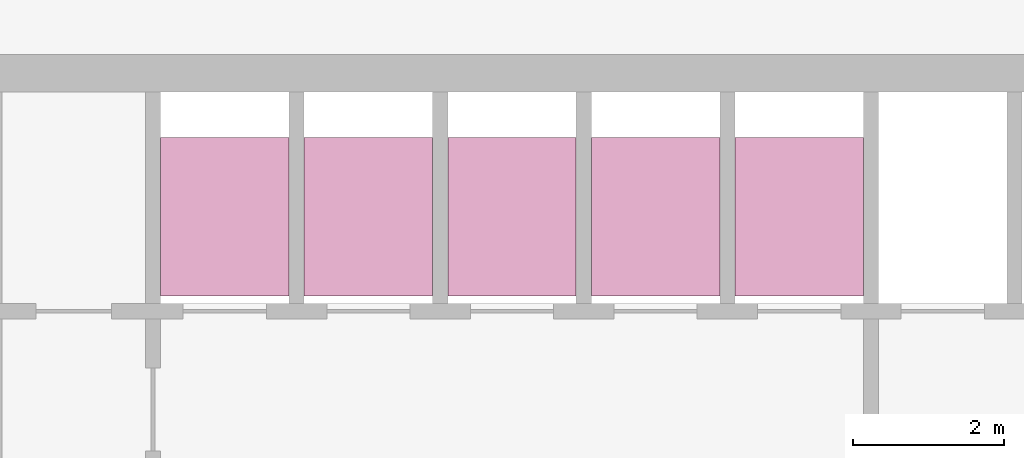
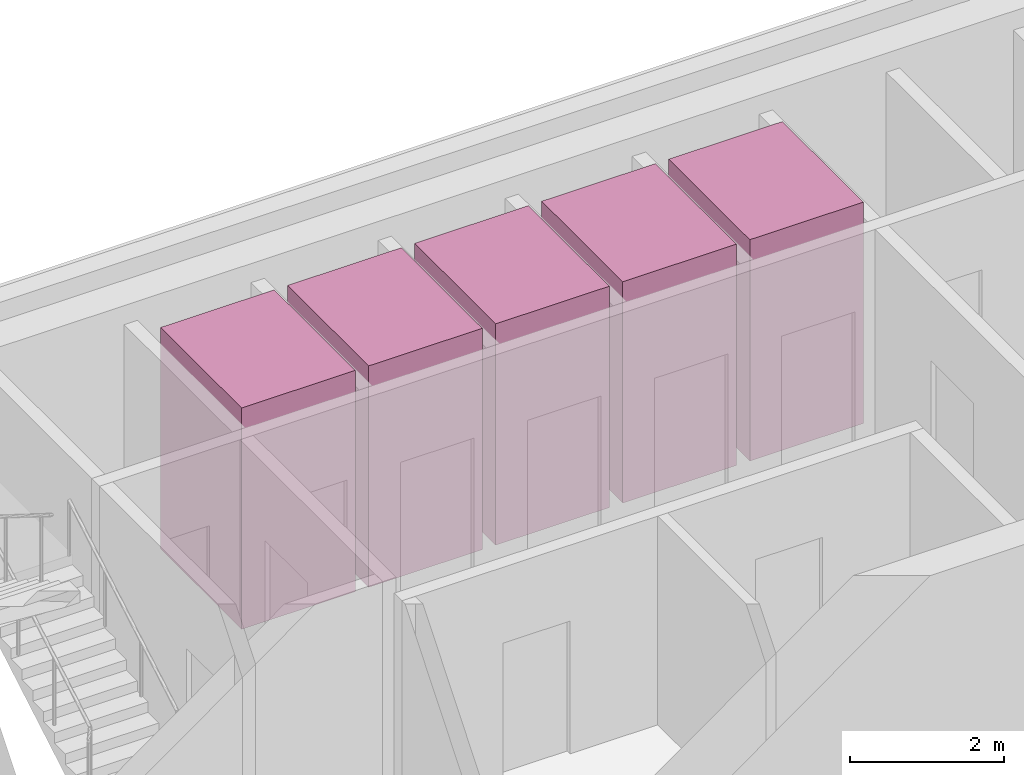
# One storey, part 9 of 9: 5 transport elements.
"""IFC4 building model written with IfcOpenShell, lengths in metres."""

from ifc_helpers import new_model, si_unit, direction, frame, origin, origin_2d, place, context, subcontext, project, spatial, rectangle, extrude, material, type_object, element, save


model = new_model("IFC4")

# Units and contexts
model_context = context("Model", 3, precision=1e-05, world=origin(), true_north=direction((0.0, 1.0)))
body_context = subcontext(model_context, "Body", "Model", "MODEL_VIEW")
ifc_project = project(units=[si_unit("LENGTHUNIT", "METRE"), si_unit("AREAUNIT", "SQUARE_METRE"), si_unit("VOLUMEUNIT", "CUBIC_METRE"), si_unit("PLANEANGLEUNIT", "RADIAN"), si_unit("MASSUNIT", "GRAM", prefix="KILO")], contexts=[model_context])

# Site, building, storey
site_placement = place(None, origin())
site = spatial("IfcSite", under=ifc_project, at=site_placement, CompositionType="ELEMENT")
building_placement = place(site_placement, origin())
building = spatial("IfcBuilding", under=site, at=building_placement, Name="Altiplano Prism Tower", CompositionType="ELEMENT")
storey_placement = place(building_placement, frame((0.0, 0.0, 354.39990234375)))
storey = spatial("IfcBuildingStorey", under=building, at=storey_placement, Name="L92", CompositionType="ELEMENT", Elevation=354.39990234375)

# Transport elements
ifc_material = material(Name="Stainless steel lift car", Category="steel")
transport_element_type = type_object("IfcTransportElementType", Name="Passenger lift car 1600 x 2100", PredefinedType="ELEVATOR", material=ifc_material)
for number, where, z_axis, x_axis, name in (
    (1, (79.050048828125, 101.75, 0.050048828125), (0.0, 0.0, 1.0), (1.0, 0.0, 0.0), "High Zone Passenger Lift 1"),
    (2, (80.949951171875, 101.75, 0.050048828125), (0.0, 0.0, 1.0), (1.0, 0.0, 0.0), "High Zone Passenger Lift 2"),
    (3, (82.85009765625, 101.75, 0.050048828125), (0.0, 0.0, 1.0), (1.0, 0.0, 0.0), "High Zone Passenger Lift 3"),
    (4, (84.75, 101.75, 0.050048828125), (0.0, 0.0, 1.0), (1.0, 0.0, 0.0), "High Zone Passenger Lift 4"),
    (5, (86.64990234375, 101.75, 0.050048828125), (0.0, 0.0, 1.0), (1.0, 0.0, 0.0), "High Zone Passenger Lift 5"),
):
    element("IfcTransportElement", number, at=place(storey_placement, frame(where, z_axis=z_axis, x_axis=x_axis)), inside=storey, type_object=transport_element_type, Name=name, PredefinedType="ELEVATOR", context=body_context, shape_type="SweptSolid", body=[
        extrude(rectangle(XDim=1.699951171875, YDim=2.10009765625, at=origin_2d()), origin(), (0.0, 0.0, 1.0), 3.5),
    ])

save(model, "model.ifc")
